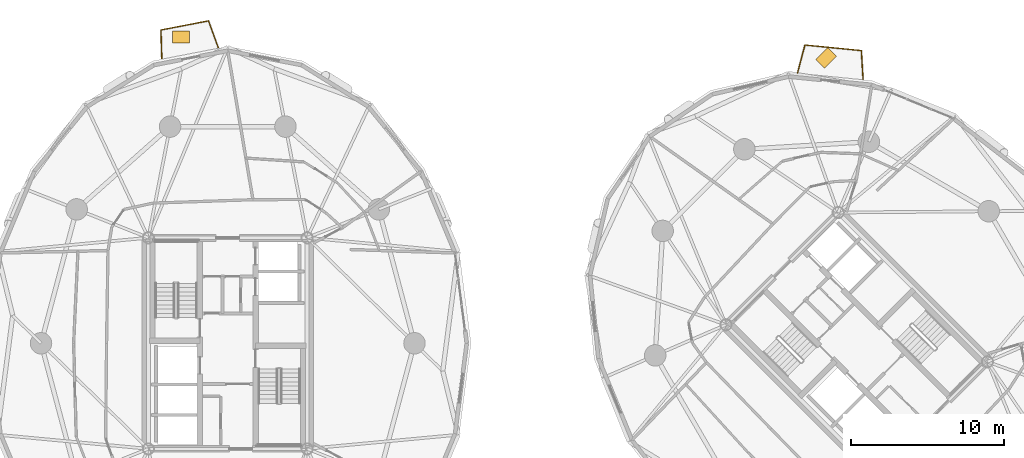
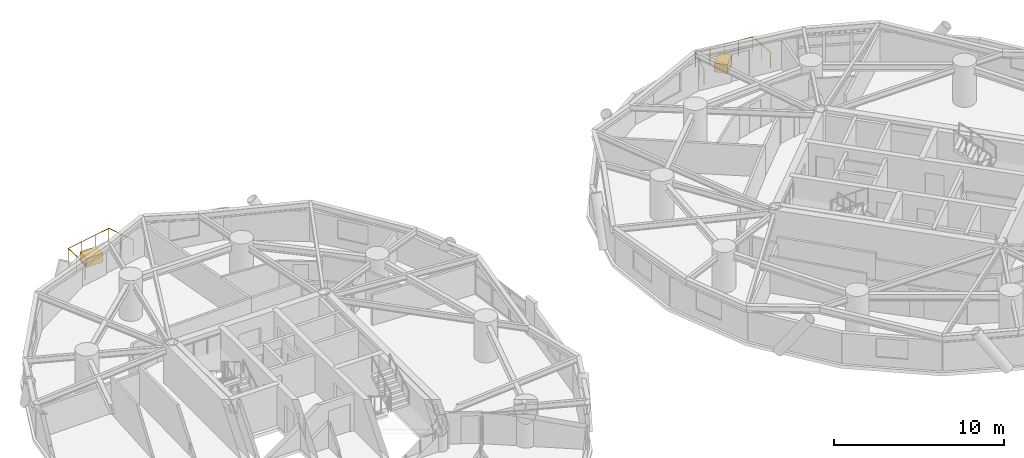
# One storey, part 18 of 18: 2 coverings, 2 railings.
"""IFC4 building model written with IfcOpenShell, lengths in metres."""

from ifc_helpers import new_model, si_unit, direction, frame, origin, origin_2d, place, context, subcontext, project, spatial, rectangle, circle, extrude, source, transform, mapped, material, layer, layer_set, type_object, element, save


model = new_model("IFC4")

# Units and contexts
model_context = context("Model", 3, precision=1e-05, world=origin(), true_north=direction((0.0, 1.0)))
body_context = subcontext(model_context, "Body", "Model", "MODEL_VIEW")
ifc_project = project(units=[si_unit("LENGTHUNIT", "METRE"), si_unit("AREAUNIT", "SQUARE_METRE"), si_unit("VOLUMEUNIT", "CUBIC_METRE"), si_unit("PLANEANGLEUNIT", "RADIAN"), si_unit("MASSUNIT", "GRAM", prefix="KILO")], contexts=[model_context])

# Site, building, storey
site_placement = place(None, origin())
site = spatial("IfcSite", under=ifc_project, at=site_placement, CompositionType="ELEMENT")
building_placement = place(site_placement, origin())
building = spatial("IfcBuilding", under=site, at=building_placement, Name="Cununo Teusaquillo Station Towers", CompositionType="ELEMENT")
storey_placement = place(building_placement, frame((0.0, 0.0, 105.070068359375)))
storey = spatial("IfcBuildingStorey", under=building, at=storey_placement, Name="L33", CompositionType="ELEMENT", Elevation=105.070068359375)

# Railings
ifc_material_1 = material(Name="Anodised dark bronze aluminium EN AW-6063-T6", Category="aluminium")
railing_type = type_object("IfcRailingType", Name="RL-EXT-GUARD", PredefinedType="GUARDRAIL", material=ifc_material_1)
railing_1_placement = place(storey_placement, frame((12.20166015625, 43.060546875, 0.0)))
element("IfcRailing", 1, at=railing_1_placement, inside=storey, type_object=railing_type, Name="L33 Tower A Balcony Guardrail C05", PredefinedType="GUARDRAIL", context=body_context, shape_type="SweptSolid", body=[
    extrude(circle(Radius=0.02392578125, at=origin_2d()), frame((0.0, 0.0, 1.1259765625), z_axis=(-0.030662031384, 0.999529809376, 0.0), x_axis=(-0.999529809376, -0.030662031384, 0.0)), (0.0, 0.0, 1.0), 1.86328125),
    extrude(circle(Radius=0.02392578125, at=origin_2d()), frame((-0.05712890625, 1.8623046875, 1.1259765625), z_axis=(0.981834317938, 0.189740275429, 0.0), x_axis=(-0.189740275429, 0.981834317938, 0.0)), (0.0, 0.0, 1.0), 3.15380859375),
    extrude(circle(Radius=0.02392578125, at=origin_2d()), frame((3.039306640625, 2.460693359375, 1.1259765625), z_axis=(0.343962021681, -0.9389835609, 0.0), x_axis=(0.9389835609, 0.343962021681, 0.0)), (0.0, 0.0, 1.0), 1.86328125),
    extrude(circle(Radius=0.02099609375, at=origin_2d()), origin(), (0.0, 0.0, 1.0), 1.101806640625),
    extrude(circle(Radius=0.02099609375, at=origin_2d()), frame((-0.028564453125, 0.93115234375, 0.0)), (0.0, 0.0, 1.0), 1.101806640625),
    extrude(circle(Radius=0.02099609375, at=origin_2d()), frame((-0.05712890625, 1.8623046875, 0.0)), (0.0, 0.0, 1.0), 1.101806640625),
    extrude(circle(Radius=0.02099609375, at=origin_2d()), frame((0.97509765625, 2.061767578125, 0.0)), (0.0, 0.0, 1.0), 1.101806640625),
    extrude(circle(Radius=0.02099609375, at=origin_2d()), frame((2.007080078125, 2.26123046875, 0.0)), (0.0, 0.0, 1.0), 1.101806640625),
    extrude(circle(Radius=0.02099609375, at=origin_2d()), frame((3.039306640625, 2.460693359375, 0.0)), (0.0, 0.0, 1.0), 1.101806640625),
    extrude(circle(Radius=0.02099609375, at=origin_2d()), frame((3.35986328125, 1.5859375, 0.0)), (0.0, 0.0, 1.0), 1.101806640625),
    extrude(circle(Radius=0.02099609375, at=origin_2d()), frame((3.68017578125, 0.711181640625, 0.0)), (0.0, 0.0, 1.0), 1.101806640625),
])
railing_2_placement = place(storey_placement, frame((53.64697265625, 42.13671875, 0.0)))
element("IfcRailing", 2, at=railing_2_placement, inside=storey, type_object=railing_type, Name="L33 Tower B Balcony Guardrail C02", PredefinedType="GUARDRAIL", context=body_context, shape_type="SweptSolid", body=[
    extrude(circle(Radius=0.02392578125, at=origin_2d()), frame((0.0, 0.0, 1.1259765625), z_axis=(0.255835186295, 0.966720413281, 0.0), x_axis=(-0.966720413281, 0.255835186295, 0.0)), (0.0, 0.0, 1.0), 1.871337890625),
    extrude(circle(Radius=0.02392578125, at=origin_2d()), frame((0.478759765625, 1.80908203125, 1.1259765625), z_axis=(0.99512777892, -0.098593628704, 0.0), x_axis=(0.098593628704, 0.99512777892, 0.0)), (0.0, 0.0, 1.0), 3.692138671875),
    extrude(circle(Radius=0.02392578125, at=origin_2d()), frame((4.15283203125, 1.445068359375, 1.1259765625), z_axis=(0.061184331575, -0.998126483753, 0.0), x_axis=(0.998126483753, 0.061184331575, 0.0)), (0.0, 0.0, 1.0), 1.871337890625),
    extrude(circle(Radius=0.02099609375, at=origin_2d()), origin(), (0.0, 0.0, 1.0), 1.101806640625),
    extrude(circle(Radius=0.02099609375, at=origin_2d()), frame((0.2392578125, 0.904541015625, 0.0)), (0.0, 0.0, 1.0), 1.101806640625),
    extrude(circle(Radius=0.02099609375, at=origin_2d()), frame((0.478759765625, 1.80908203125, 0.0)), (0.0, 0.0, 1.0), 1.101806640625),
    extrude(circle(Radius=0.02099609375, at=origin_2d()), frame((1.397216796875, 1.718017578125, 0.0)), (0.0, 0.0, 1.0), 1.101806640625),
    extrude(circle(Radius=0.02099609375, at=origin_2d()), frame((2.31591796875, 1.626953125, 0.0)), (0.0, 0.0, 1.0), 1.101806640625),
    extrude(circle(Radius=0.02099609375, at=origin_2d()), frame((3.234375, 1.5361328125, 0.0)), (0.0, 0.0, 1.0), 1.101806640625),
    extrude(circle(Radius=0.02099609375, at=origin_2d()), frame((4.15283203125, 1.445068359375, 0.0)), (0.0, 0.0, 1.0), 1.101806640625),
    extrude(circle(Radius=0.02099609375, at=origin_2d()), frame((4.2099609375, 0.51123046875, 0.0)), (0.0, 0.0, 1.0), 1.101806640625),
    extrude(circle(Radius=0.02099609375, at=origin_2d()), frame((4.267333984375, -0.4228515625, 0.0)), (0.0, 0.0, 1.0), 1.101806640625),
])

# Coverings
ifc_material_2 = material(Name="Architectural GRC planter shell and engineered root-zone substrate", Category="concrete")
ifc_layer = layer(ifc_material_2, 0.64990234375)
ifc_layer_set = layer_set([ifc_layer], Name="Architectural GRC planter shell and engineered root-zone substrate")
covering_type = type_object("IfcCoveringType", Name="COV-TREE-PLANTER", PredefinedType="CLADDING", material=ifc_layer_set)
shared_shape = source(origin(), body_context, "Body", "SweptSolid", [
    extrude(rectangle(XDim=1.10009765625, YDim=0.800048828125, at=origin_2d()), origin(), (0.0, 0.0, 1.0), 0.64990234375),
])
for number, where, z_axis, x_axis, name in (
    (3, (13.4462890625, 44.468505859375, 0.0), (0.0, 0.0, 1.0), (1.0, 0.0, 0.0), "L33 Tower A Balcony Tree PLANTER C05"),
    (4, (55.510986328125, 43.107666015625, 0.0), (0.0, 0.0, 1.0), (0.707106781187, 0.707106781187, 0.0), "L33 Tower B Balcony Tree PLANTER C02"),
):
    element("IfcCovering", number, at=place(storey_placement, frame(where, z_axis=z_axis, x_axis=x_axis)), inside=storey, type_object=covering_type, Name=name, PredefinedType="CLADDING", context=body_context, shape_type="MappedRepresentation", body=[
        mapped(shared_shape, transform((0.0, 0.0, 0.0), x_axis=(1.0, 0.0, 0.0), y_axis=(0.0, 1.0, 0.0), z_axis=(0.0, 0.0, 1.0), scale=1.0)),
    ])

save(model, "model.ifc")
